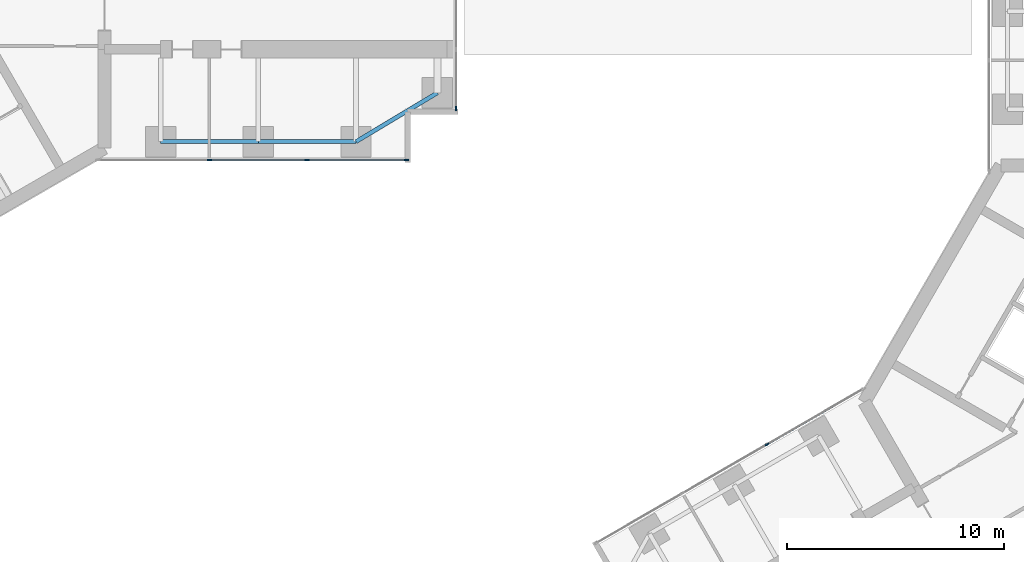
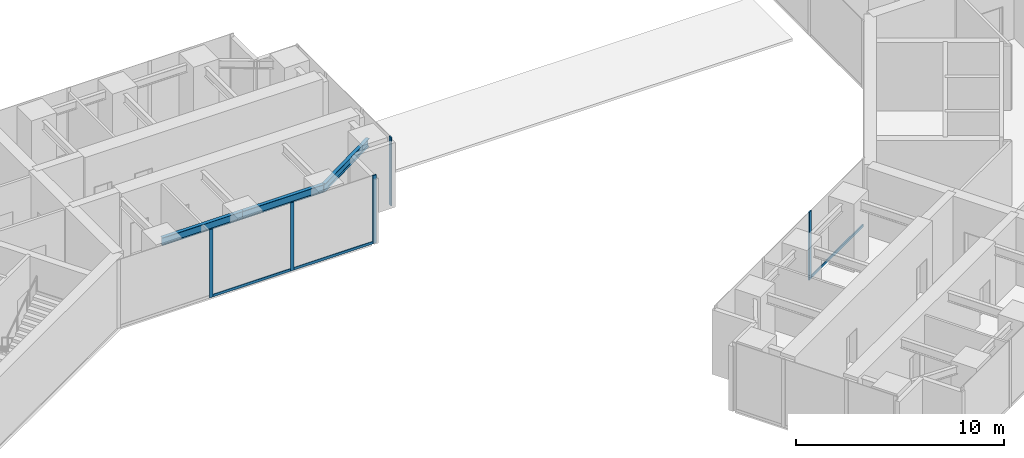
# One storey, part 4 of 22: 8 members, 3 beams, 3 elements without a shape of their own.
"""IFC4 building model written with IfcOpenShell, lengths in metres."""

from ifc_helpers import new_model, si_unit, direction, frame, origin, origin_2d, place, context, subcontext, project, spatial, rectangle, i_section, extrude, material, material_profile, profile_set, type_object, element, aggregate, save


model = new_model("IFC4")

# Units and contexts
model_context = context("Model", 3, precision=1e-05, world=origin(), true_north=direction((0.0, 1.0)))
body_context = subcontext(model_context, "Body", "Model", "MODEL_VIEW")
ifc_project = project(units=[si_unit("LENGTHUNIT", "METRE"), si_unit("AREAUNIT", "SQUARE_METRE"), si_unit("VOLUMEUNIT", "CUBIC_METRE"), si_unit("PLANEANGLEUNIT", "RADIAN"), si_unit("MASSUNIT", "GRAM", prefix="KILO")], contexts=[model_context])

# Site, building, storey
site_placement = place(None, origin())
site = spatial("IfcSite", under=ifc_project, at=site_placement, CompositionType="ELEMENT")
building_placement = place(site_placement, origin())
building = spatial("IfcBuilding", under=site, at=building_placement, Name="Upepo Twin Towers", CompositionType="ELEMENT")
storey_placement = place(building_placement, frame((0.0, 0.0, 97.5)))
storey = spatial("IfcBuildingStorey", under=building, at=storey_placement, Name="L23", CompositionType="ELEMENT", Elevation=97.5)

# Beams
ifc_material_1 = material(Name="Steel S355", Category="steel")
ifc_material_profile_1 = material_profile(ifc_material_1, i_section(OverallWidth=0.1904296875, OverallDepth=0.45703125, WebThickness=0.009033203125, FlangeThickness=0.014404296875, FilletRadius=0.01025390625, at=origin_2d()), Name="UB 457x191x74")
ifc_profile_set_1 = profile_set([ifc_material_profile_1], Name="Steel S355")
beam_type = type_object("IfcBeamType", Name="Beam UB 457x191x74", PredefinedType="BEAM", material=ifc_profile_set_1)
for number, where, z_axis, x_axis, name in (
    (1, (13.5, -6.0, 3.571533203125), (1.0, 0.0, 0.0), (0.0, 1.0, 0.0), "T1 edge beam AR 13.5-18.0"),
    (2, (18.0, -6.0, 3.571533203125), (1.0, 0.0, 0.0), (0.0, 1.0, 0.0), "T1 edge beam AR 18.0-22.5"),
):
    element("IfcBeam", number, at=place(storey_placement, frame(where, z_axis=z_axis, x_axis=x_axis)), inside=storey, type_object=beam_type, Name=name, PredefinedType="BEAM", context=body_context, shape_type="SweptSolid", body=[
        extrude(i_section(OverallWidth=0.1904296875, OverallDepth=0.45703125, WebThickness=0.009033203125, FlangeThickness=0.014404296875, FilletRadius=0.01025390625, at=origin_2d()), origin(), (0.0, 0.0, 1.0), 4.5),
    ])
beam_placement = place(storey_placement, frame((22.5, -6.0, 3.571533203125), z_axis=(0.857492925713, 0.514495755428, 0.0), x_axis=(-0.514495755428, 0.857492925713, 0.0)))
element("IfcBeam", 3, at=beam_placement, inside=storey, type_object=beam_type, Name="T1 nose edge beam AR", PredefinedType="BEAM", context=body_context, shape_type="SweptSolid", body=[
    extrude(i_section(OverallWidth=0.1904296875, OverallDepth=0.45703125, WebThickness=0.009033203125, FlangeThickness=0.014404296875, FilletRadius=0.01025390625, at=origin_2d()), origin(), (0.0, 0.0, 1.0), 4.373291015625),
])

# Curtain wall, members
ifc_material_2 = material(Name="Aluminium and fritted glass", Category="aluminium")
curtain_wall_type = type_object("IfcCurtainWallType", Name="Tower curtain wall TW2, fritted glass", PredefinedType="NOTDEFINED", material=ifc_material_2)
curtain_wall_1_placement = place(storey_placement, origin())
curtain_wall_1 = element("IfcCurtainWall", 4, at=curtain_wall_1_placement, inside=storey, type_object=curtain_wall_type, Name="T1 L23 wing A flank R curtain wall", PredefinedType="NOTDEFINED")
ifc_material_3 = material(Name="Aluminium mullion", Category="aluminium")
ifc_material_profile_2 = material_profile(ifc_material_3, rectangle(XDim=0.06494140625, YDim=0.199951171875, at=origin_2d()), Name="MULLION 65x200")
ifc_profile_set_2 = profile_set([ifc_material_profile_2], Name="Aluminium mullion")
member_type_1 = type_object("IfcMemberType", Name="Mullion 65x200 TW2", PredefinedType="MULLION", material=ifc_profile_set_2)
member_1_placement = place(storey_placement, frame((24.8173828125, -6.85009765625, 0.0), z_axis=(0.0, 0.0, 1.0), x_axis=(0.0, -1.0, 0.0)))
member_1 = element("IfcMember", 5, at=member_1_placement, type_object=member_type_1, Name="T1 L23 wing A flank R curtain wall mullion 1", PredefinedType="MULLION", context=body_context, shape_type="SweptSolid", body=[
    extrude(rectangle(XDim=0.06494140625, YDim=0.199951171875, at=origin_2d()), origin(), (0.0, 0.0, 1.0), 4.0),
])
member_2_placement = place(storey_placement, frame((20.25, -6.85009765625, 0.0), z_axis=(0.0, 0.0, 1.0), x_axis=(0.0, -1.0, 0.0)))
member_2 = element("IfcMember", 6, at=member_2_placement, type_object=member_type_1, Name="T1 L23 wing A flank R curtain wall mullion 2", PredefinedType="MULLION", context=body_context, shape_type="SweptSolid", body=[
    extrude(rectangle(XDim=0.06494140625, YDim=0.199951171875, at=origin_2d()), origin(), (0.0, 0.0, 1.0), 4.0),
])
member_3_placement = place(storey_placement, frame((15.75, -6.85009765625, 0.0), z_axis=(0.0, 0.0, 1.0), x_axis=(0.0, -1.0, 0.0)))
member_3 = element("IfcMember", 7, at=member_3_placement, type_object=member_type_1, Name="T1 L23 wing A flank R curtain wall mullion 3", PredefinedType="MULLION", context=body_context, shape_type="SweptSolid", body=[
    extrude(rectangle(XDim=0.06494140625, YDim=0.199951171875, at=origin_2d()), origin(), (0.0, 0.0, 1.0), 4.0),
])

# Curtain wall, member
curtain_wall_2_placement = place(storey_placement, origin())
curtain_wall_2 = element("IfcCurtainWall", 8, at=curtain_wall_2_placement, inside=storey, type_object=curtain_wall_type, Name="T1 L23 wing A nose curtain wall", PredefinedType="NOTDEFINED")
member_4_placement = place(storey_placement, frame((27.10009765625, -4.467529296875, 0.0), z_axis=(0.0, 0.0, 1.0), x_axis=(-1.0, 0.0, 0.0)))
member_4 = element("IfcMember", 9, at=member_4_placement, type_object=member_type_1, Name="T1 L23 wing A nose curtain wall mullion 1", PredefinedType="MULLION", context=body_context, shape_type="SweptSolid", body=[
    extrude(rectangle(XDim=0.06494140625, YDim=0.199951171875, at=origin_2d()), origin(), (0.0, 0.0, 1.0), 4.0),
])
aggregate(curtain_wall_2, [member_4])

curtain_wall_3_placement = place(storey_placement, origin())
curtain_wall_3 = element("IfcCurtainWall", 10, at=curtain_wall_3_placement, inside=storey, type_object=curtain_wall_type, Name="T2 L23 wing B flank R curtain wall", PredefinedType="NOTDEFINED")
member_5_placement = place(storey_placement, frame((41.43505859375, -19.942626953125, 0.0), z_axis=(0.0, 0.0, 1.0), x_axis=(-0.500000010308, 0.866025397833, 0.0)))
member_5 = element("IfcMember", 11, at=member_5_placement, type_object=member_type_1, Name="T2 L23 wing B flank R curtain wall mullion 3", PredefinedType="MULLION", context=body_context, shape_type="SweptSolid", body=[
    extrude(rectangle(XDim=0.06494140625, YDim=0.199951171875, at=origin_2d()), origin(), (0.0, 0.0, 1.0), 4.0),
])

# Member
ifc_material_4 = material(Name="Aluminium transom", Category="aluminium")
ifc_material_profile_3 = material_profile(ifc_material_4, rectangle(XDim=0.06494140625, YDim=0.14990234375, at=origin_2d()), Name="TRANSOM 65x150")
ifc_profile_set_3 = profile_set([ifc_material_profile_3], Name="Aluminium transom")
member_type_2 = type_object("IfcMemberType", Name="Transom 65x150 TW2", PredefinedType="USERDEFINED", material=ifc_profile_set_3)
member_6_placement = place(storey_placement, frame((24.784912109375, -6.85009765625, 0.074951171875), z_axis=(-1.0, 0.0, 0.0), x_axis=(0.0, -1.0, 0.0)))
member_6 = element("IfcMember", 12, at=member_6_placement, type_object=member_type_2, Name="T1 L23 wing A flank R curtain wall transom 1", ObjectType="TRANSOM", PredefinedType="USERDEFINED", context=body_context, shape_type="SweptSolid", body=[
    extrude(rectangle(XDim=0.06494140625, YDim=0.14990234375, at=origin_2d()), origin(), (0.0, 0.0, 1.0), 4.50244140625),
])

member_7_placement = place(storey_placement, frame((20.217529296875, -6.85009765625, 0.074951171875), z_axis=(-1.0, 0.0, 0.0), x_axis=(0.0, -1.0, 0.0)))
member_7 = element("IfcMember", 13, at=member_7_placement, type_object=member_type_2, Name="T1 L23 wing A flank R curtain wall transom 2", ObjectType="TRANSOM", PredefinedType="USERDEFINED", context=body_context, shape_type="SweptSolid", body=[
    extrude(rectangle(XDim=0.06494140625, YDim=0.14990234375, at=origin_2d()), origin(), (0.0, 0.0, 1.0), 4.43505859375),
])

aggregate(curtain_wall_1, [member_1, member_2, member_3, member_6, member_7])

member_8_placement = place(storey_placement, frame((41.463134765625, -19.926513671875, 0.074951171875), z_axis=(0.866033897268, 0.499985288567, 0.0), x_axis=(-0.499985288567, 0.866033897268, 0.0)))
member_8 = element("IfcMember", 14, at=member_8_placement, type_object=member_type_2, Name="T2 L23 wing B flank R curtain wall transom 3", ObjectType="TRANSOM", PredefinedType="USERDEFINED", context=body_context, shape_type="SweptSolid", body=[
    extrude(rectangle(XDim=0.06494140625, YDim=0.14990234375, at=origin_2d()), origin(), (0.0, 0.0, 1.0), 5.065673828125),
])

aggregate(curtain_wall_3, [member_5, member_8])

save(model, "model.ifc")
